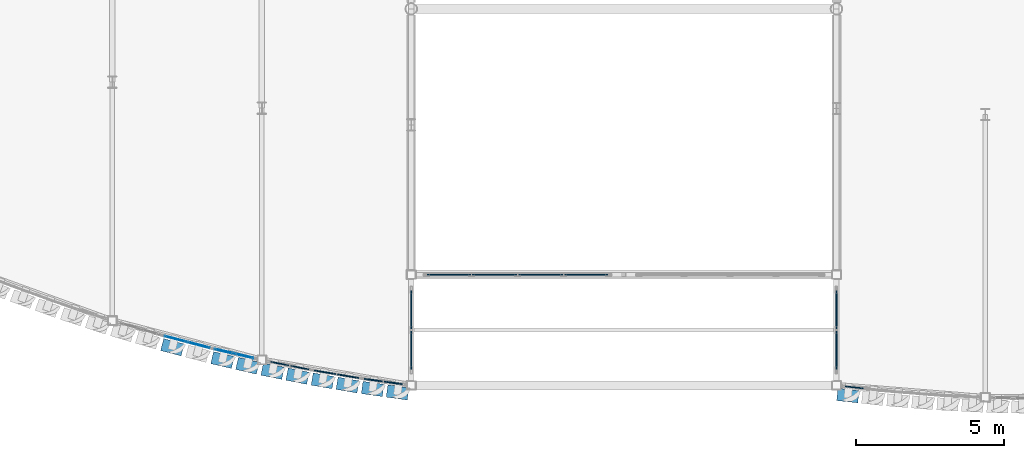
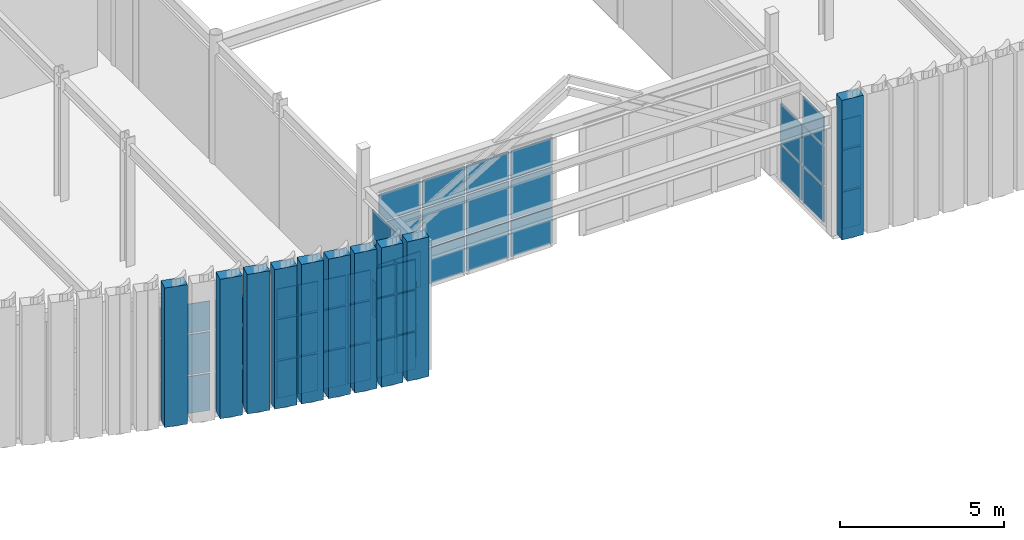
# One storey, part 88 of 126: 66 plates, 9 elements without a shape of their own.
"""IFC4 building model written with IfcOpenShell, lengths in metres."""

from ifc_helpers import new_model, si_unit, direction, frame, origin, origin_2d, place, context, subcontext, project, spatial, rectangle, extrude, material, layer, layer_set, type_object, element, aggregate, save


model = new_model("IFC4")

# Units and contexts
model_context = context("Model", 3, precision=1e-05, world=origin(), true_north=direction((0.0, 1.0)))
body_context = subcontext(model_context, "Body", "Model", "MODEL_VIEW")
ifc_project = project(units=[si_unit("LENGTHUNIT", "METRE"), si_unit("AREAUNIT", "SQUARE_METRE"), si_unit("VOLUMEUNIT", "CUBIC_METRE"), si_unit("PLANEANGLEUNIT", "RADIAN"), si_unit("MASSUNIT", "GRAM", prefix="KILO")], contexts=[model_context])

# Site, building, storey
site_placement = place(None, origin())
site = spatial("IfcSite", under=ifc_project, at=site_placement, CompositionType="ELEMENT")
building_placement = place(site_placement, origin())
building = spatial("IfcBuilding", under=site, at=building_placement, Name="Solvadek Multi-Sports Hall", CompositionType="ELEMENT")
storey_placement = place(building_placement, frame((0.0, 0.0, 9.60009765625)))
storey = spatial("IfcBuildingStorey", under=building, at=storey_placement, Name="L02", CompositionType="ELEMENT", Elevation=9.60009765625)

# Curtain wall, plates
ifc_material_1 = material(Name="Anodised aluminium", Category="aluminium")
ifc_layer_1 = layer(ifc_material_1, 0.159912109375, Name="Anodised aluminium")
ifc_layer_set_1 = layer_set([ifc_layer_1], Name="Anodised aluminium")
curtain_wall_type_1 = type_object("IfcCurtainWallType", Name="ENV-CW-168X420", PredefinedType="USERDEFINED", material=ifc_layer_set_1)
curtain_wall_1_placement = place(storey_placement, origin())
curtain_wall_1 = element("IfcCurtainWall", 1, at=curtain_wall_1_placement, inside=storey, type_object=curtain_wall_type_1, Name="L02 Crescent Curved Curtain Wall #46", ObjectType="CURTAIN WALL", PredefinedType="USERDEFINED")
ifc_material_2 = material(Name="Tempered laminated low-E glass", Category="glass")
ifc_layer_2 = layer(ifc_material_2, 0.028076171875, Name="Tempered laminated low-E glass")
ifc_layer_set_2 = layer_set([ifc_layer_2], Name="Tempered laminated low-E glass")
plate_type_1 = type_object("IfcPlateType", Name="ENV-CWP-02", PredefinedType="CURTAIN_PANEL", material=ifc_layer_set_2)
plate_1_placement = place(storey_placement, frame((64.016357421875, -11.17919921875, 0.06005859375), z_axis=(0.0, 0.0, 1.0), x_axis=(0.967166772778, -0.254142545895, 0.0)))
plate_1 = element("IfcPlate", 2, at=plate_1_placement, type_object=plate_type_1, Name="CW-22 panel 1.1", PredefinedType="CURTAIN_PANEL", context=body_context, shape_type="SweptSolid", body=[
    extrude(rectangle(XDim=0.751953125, YDim=0.028076171875, at=origin_2d()), origin(), (0.0, 0.0, 1.0), 1.3798828125),
])
plate_2_placement = place(storey_placement, frame((64.016357421875, -11.17919921875, 1.5), z_axis=(0.0, 0.0, 1.0), x_axis=(0.967166772778, -0.254142545895, 0.0)))
plate_2 = element("IfcPlate", 3, at=plate_2_placement, type_object=plate_type_1, Name="CW-22 panel 1.2", PredefinedType="CURTAIN_PANEL", context=body_context, shape_type="SweptSolid", body=[
    extrude(rectangle(XDim=0.751953125, YDim=0.028076171875, at=origin_2d()), origin(), (0.0, 0.0, 1.0), 1.493896484375),
])
plate_3_placement = place(storey_placement, frame((64.016357421875, -11.17919921875, 3.053955078125), z_axis=(0.0, 0.0, 1.0), x_axis=(0.967166772778, -0.254142545895, 0.0)))
plate_3 = element("IfcPlate", 4, at=plate_3_placement, type_object=plate_type_1, Name="CW-22 panel 1.3", PredefinedType="CURTAIN_PANEL", context=body_context, shape_type="SweptSolid", body=[
    extrude(rectangle(XDim=0.751953125, YDim=0.028076171875, at=origin_2d()), origin(), (0.0, 0.0, 1.0), 1.0859375),
])
plate_4_placement = place(storey_placement, frame((64.8017578125, -11.385498046875, 0.06005859375), z_axis=(0.0, 0.0, 1.0), x_axis=(0.967166772778, -0.254142545895, 0.0)))
plate_4 = element("IfcPlate", 5, at=plate_4_placement, type_object=plate_type_1, Name="CW-22 panel 2.1", PredefinedType="CURTAIN_PANEL", context=body_context, shape_type="SweptSolid", body=[
    extrude(rectangle(XDim=0.751953125, YDim=0.028076171875, at=origin_2d()), origin(), (0.0, 0.0, 1.0), 1.3798828125),
])
plate_5_placement = place(storey_placement, frame((64.8017578125, -11.385498046875, 1.5), z_axis=(0.0, 0.0, 1.0), x_axis=(0.967166772778, -0.254142545895, 0.0)))
plate_5 = element("IfcPlate", 6, at=plate_5_placement, type_object=plate_type_1, Name="CW-22 panel 2.2", PredefinedType="CURTAIN_PANEL", context=body_context, shape_type="SweptSolid", body=[
    extrude(rectangle(XDim=0.751953125, YDim=0.028076171875, at=origin_2d()), origin(), (0.0, 0.0, 1.0), 1.493896484375),
])
plate_6_placement = place(storey_placement, frame((64.8017578125, -11.385498046875, 3.053955078125), z_axis=(0.0, 0.0, 1.0), x_axis=(0.967166772778, -0.254142545895, 0.0)))
plate_6 = element("IfcPlate", 7, at=plate_6_placement, type_object=plate_type_1, Name="CW-22 panel 2.3", PredefinedType="CURTAIN_PANEL", context=body_context, shape_type="SweptSolid", body=[
    extrude(rectangle(XDim=0.751953125, YDim=0.028076171875, at=origin_2d()), origin(), (0.0, 0.0, 1.0), 1.0859375),
])
aggregate(curtain_wall_1, [plate_1, plate_2, plate_3, plate_4, plate_5, plate_6])

ifc_layer_3 = layer(ifc_material_1, 0.159912109375, Name="Anodised aluminium")
ifc_layer_set_3 = layer_set([ifc_layer_3], Name="Anodised aluminium")
curtain_wall_type_2 = type_object("IfcCurtainWallType", Name="ENV-CW-146X420", PredefinedType="USERDEFINED", material=ifc_layer_set_3)
curtain_wall_2_placement = place(storey_placement, origin())
curtain_wall_2 = element("IfcCurtainWall", 8, at=curtain_wall_2_placement, inside=storey, type_object=curtain_wall_type_2, Name="L02 Crescent Curved Curtain Wall #48", ObjectType="CURTAIN WALL", PredefinedType="USERDEFINED")
ifc_layer_4 = layer(ifc_material_2, 0.031982421875, Name="Tempered laminated low-E glass")
ifc_layer_set_4 = layer_set([ifc_layer_4], Name="Tempered laminated low-E glass")
plate_type_2 = type_object("IfcPlateType", Name="ENV-CWP-03", PredefinedType="CURTAIN_PANEL", material=ifc_layer_set_4)
plate_7_placement = place(storey_placement, frame((65.65234375, -11.596435546875, 0.06494140625), z_axis=(0.0, 0.0, 1.0), x_axis=(0.974315025775, -0.225189321569, 0.0)))
plate_7 = element("IfcPlate", 9, at=plate_7_placement, type_object=plate_type_2, Name="CW-23 panel 1.1", PredefinedType="CURTAIN_PANEL", context=body_context, shape_type="SweptSolid", body=[
    extrude(rectangle(XDim=0.640625, YDim=0.031982421875, at=origin_2d()), origin(), (0.0, 0.0, 1.0), 1.37255859375),
])
plate_8_placement = place(storey_placement, frame((65.65234375, -11.596435546875, 1.50244140625), z_axis=(0.0, 0.0, 1.0), x_axis=(0.974315025775, -0.225189321569, 0.0)))
plate_8 = element("IfcPlate", 10, at=plate_8_placement, type_object=plate_type_2, Name="CW-23 panel 1.2", PredefinedType="CURTAIN_PANEL", context=body_context, shape_type="SweptSolid", body=[
    extrude(rectangle(XDim=0.640625, YDim=0.031982421875, at=origin_2d()), origin(), (0.0, 0.0, 1.0), 1.489013671875),
])
plate_9_placement = place(storey_placement, frame((65.65234375, -11.596435546875, 3.056396484375), z_axis=(0.0, 0.0, 1.0), x_axis=(0.974315025775, -0.225189321569, 0.0)))
plate_9 = element("IfcPlate", 11, at=plate_9_placement, type_object=plate_type_2, Name="CW-23 panel 1.3", PredefinedType="CURTAIN_PANEL", context=body_context, shape_type="SweptSolid", body=[
    extrude(rectangle(XDim=0.640625, YDim=0.031982421875, at=origin_2d()), origin(), (0.0, 0.0, 1.0), 1.07861328125),
])
plate_10_placement = place(storey_placement, frame((66.3349609375, -11.754150390625, 0.06494140625), z_axis=(0.0, 0.0, 1.0), x_axis=(0.974315025775, -0.225189321569, 0.0)))
plate_10 = element("IfcPlate", 12, at=plate_10_placement, type_object=plate_type_2, Name="CW-23 panel 2.1", PredefinedType="CURTAIN_PANEL", context=body_context, shape_type="SweptSolid", body=[
    extrude(rectangle(XDim=0.640625, YDim=0.031982421875, at=origin_2d()), origin(), (0.0, 0.0, 1.0), 1.37255859375),
])
plate_11_placement = place(storey_placement, frame((66.3349609375, -11.754150390625, 1.50244140625), z_axis=(0.0, 0.0, 1.0), x_axis=(0.974315025775, -0.225189321569, 0.0)))
plate_11 = element("IfcPlate", 13, at=plate_11_placement, type_object=plate_type_2, Name="CW-23 panel 2.2", PredefinedType="CURTAIN_PANEL", context=body_context, shape_type="SweptSolid", body=[
    extrude(rectangle(XDim=0.640625, YDim=0.031982421875, at=origin_2d()), origin(), (0.0, 0.0, 1.0), 1.489013671875),
])
plate_12_placement = place(storey_placement, frame((66.3349609375, -11.754150390625, 3.056396484375), z_axis=(0.0, 0.0, 1.0), x_axis=(0.974315025775, -0.225189321569, 0.0)))
plate_12 = element("IfcPlate", 14, at=plate_12_placement, type_object=plate_type_2, Name="CW-23 panel 2.3", PredefinedType="CURTAIN_PANEL", context=body_context, shape_type="SweptSolid", body=[
    extrude(rectangle(XDim=0.640625, YDim=0.031982421875, at=origin_2d()), origin(), (0.0, 0.0, 1.0), 1.07861328125),
])
aggregate(curtain_wall_2, [plate_7, plate_8, plate_9, plate_10, plate_11, plate_12])

ifc_layer_5 = layer(ifc_material_1, 0.159912109375, Name="Anodised aluminium")
ifc_layer_set_5 = layer_set([ifc_layer_5], Name="Anodised aluminium")
curtain_wall_type_3 = type_object("IfcCurtainWallType", Name="ENV-CW-145X420", PredefinedType="USERDEFINED", material=ifc_layer_set_5)
curtain_wall_3_placement = place(storey_placement, origin())
curtain_wall_3 = element("IfcCurtainWall", 15, at=curtain_wall_3_placement, inside=storey, type_object=curtain_wall_type_3, Name="L02 Crescent Curved Curtain Wall #50", ObjectType="CURTAIN WALL", PredefinedType="USERDEFINED")
ifc_layer_6 = layer(ifc_material_2, 0.035888671875, Name="Tempered laminated low-E glass")
ifc_layer_set_6 = layer_set([ifc_layer_6], Name="Tempered laminated low-E glass")
plate_type_3 = type_object("IfcPlateType", Name="ENV-CWP-04", PredefinedType="CURTAIN_PANEL", material=ifc_layer_set_6)
plate_13_placement = place(storey_placement, frame((67.546142578125, -12.015380859375, 0.06494140625), z_axis=(0.0, 0.0, 1.0), x_axis=(0.980572719393, -0.196155912432, 0.0)))
plate_13 = element("IfcPlate", 16, at=plate_13_placement, type_object=plate_type_3, Name="CW-24 panel 1.1", PredefinedType="CURTAIN_PANEL", context=body_context, shape_type="SweptSolid", body=[
    extrude(rectangle(XDim=0.627685546875, YDim=0.035888671875, at=origin_2d()), origin(), (0.0, 0.0, 1.0), 1.37255859375),
])
plate_14_placement = place(storey_placement, frame((67.546142578125, -12.015380859375, 1.50244140625), z_axis=(0.0, 0.0, 1.0), x_axis=(0.980572719393, -0.196155912432, 0.0)))
plate_14 = element("IfcPlate", 17, at=plate_14_placement, type_object=plate_type_3, Name="CW-24 panel 1.2", PredefinedType="CURTAIN_PANEL", context=body_context, shape_type="SweptSolid", body=[
    extrude(rectangle(XDim=0.627685546875, YDim=0.035888671875, at=origin_2d()), origin(), (0.0, 0.0, 1.0), 1.489013671875),
])
plate_15_placement = place(storey_placement, frame((67.546142578125, -12.015380859375, 3.056396484375), z_axis=(0.0, 0.0, 1.0), x_axis=(0.980572719393, -0.196155912432, 0.0)))
plate_15 = element("IfcPlate", 18, at=plate_15_placement, type_object=plate_type_3, Name="CW-24 panel 1.3", PredefinedType="CURTAIN_PANEL", context=body_context, shape_type="SweptSolid", body=[
    extrude(rectangle(XDim=0.627685546875, YDim=0.035888671875, at=origin_2d()), origin(), (0.0, 0.0, 1.0), 1.07861328125),
])
plate_16_placement = place(storey_placement, frame((68.225341796875, -12.151123046875, 0.06494140625), z_axis=(0.0, 0.0, 1.0), x_axis=(0.980572719393, -0.196155912432, 0.0)))
plate_16 = element("IfcPlate", 19, at=plate_16_placement, type_object=plate_type_3, Name="CW-24 panel 2.1", PredefinedType="CURTAIN_PANEL", context=body_context, shape_type="SweptSolid", body=[
    extrude(rectangle(XDim=0.627685546875, YDim=0.035888671875, at=origin_2d()), origin(), (0.0, 0.0, 1.0), 1.37255859375),
])
plate_17_placement = place(storey_placement, frame((68.225341796875, -12.151123046875, 1.50244140625), z_axis=(0.0, 0.0, 1.0), x_axis=(0.980572719393, -0.196155912432, 0.0)))
plate_17 = element("IfcPlate", 20, at=plate_17_placement, type_object=plate_type_3, Name="CW-24 panel 2.2", PredefinedType="CURTAIN_PANEL", context=body_context, shape_type="SweptSolid", body=[
    extrude(rectangle(XDim=0.627685546875, YDim=0.035888671875, at=origin_2d()), origin(), (0.0, 0.0, 1.0), 1.489013671875),
])
plate_18_placement = place(storey_placement, frame((68.225341796875, -12.151123046875, 3.056396484375), z_axis=(0.0, 0.0, 1.0), x_axis=(0.980572719393, -0.196155912432, 0.0)))
plate_18 = element("IfcPlate", 21, at=plate_18_placement, type_object=plate_type_3, Name="CW-24 panel 2.3", PredefinedType="CURTAIN_PANEL", context=body_context, shape_type="SweptSolid", body=[
    extrude(rectangle(XDim=0.627685546875, YDim=0.035888671875, at=origin_2d()), origin(), (0.0, 0.0, 1.0), 1.07861328125),
])
aggregate(curtain_wall_3, [plate_13, plate_14, plate_15, plate_16, plate_17, plate_18])

ifc_layer_7 = layer(ifc_material_1, 0.159912109375, Name="Anodised aluminium")
ifc_layer_set_7 = layer_set([ifc_layer_7], Name="Anodised aluminium")
curtain_wall_type_4 = type_object("IfcCurtainWallType", Name="ENV-CW-142X420", PredefinedType="USERDEFINED", material=ifc_layer_set_7)
curtain_wall_4_placement = place(storey_placement, origin())
curtain_wall_4 = element("IfcCurtainWall", 22, at=curtain_wall_4_placement, inside=storey, type_object=curtain_wall_type_4, Name="L02 Crescent Curved Curtain Wall #56", ObjectType="CURTAIN WALL", PredefinedType="USERDEFINED")
plate_19_placement = place(storey_placement, frame((87.007568359375, -12.819580078125, 0.06494140625), z_axis=(0.0, 0.0, 1.0), x_axis=(0.994010171032, -0.109287601694, 0.0)))
plate_19 = element("IfcPlate", 23, at=plate_19_placement, type_object=plate_type_3, Name="CW-27 panel 1.1", PredefinedType="CURTAIN_PANEL", context=body_context, shape_type="SweptSolid", body=[
    extrude(rectangle(XDim=0.612548828125, YDim=0.035888671875, at=origin_2d()), origin(), (0.0, 0.0, 1.0), 1.37255859375),
])
plate_20_placement = place(storey_placement, frame((87.007568359375, -12.819580078125, 1.50244140625), z_axis=(0.0, 0.0, 1.0), x_axis=(0.994010171032, -0.109287601694, 0.0)))
plate_20 = element("IfcPlate", 24, at=plate_20_placement, type_object=plate_type_3, Name="CW-27 panel 1.2", PredefinedType="CURTAIN_PANEL", context=body_context, shape_type="SweptSolid", body=[
    extrude(rectangle(XDim=0.612548828125, YDim=0.035888671875, at=origin_2d()), origin(), (0.0, 0.0, 1.0), 1.489013671875),
])
plate_21_placement = place(storey_placement, frame((87.007568359375, -12.819580078125, 3.056396484375), z_axis=(0.0, 0.0, 1.0), x_axis=(0.994010171032, -0.109287601694, 0.0)))
plate_21 = element("IfcPlate", 25, at=plate_21_placement, type_object=plate_type_3, Name="CW-27 panel 1.3", PredefinedType="CURTAIN_PANEL", context=body_context, shape_type="SweptSolid", body=[
    extrude(rectangle(XDim=0.612548828125, YDim=0.035888671875, at=origin_2d()), origin(), (0.0, 0.0, 1.0), 1.07861328125),
])
aggregate(curtain_wall_4, [plate_19, plate_20, plate_21])

ifc_layer_8 = layer(ifc_material_1, 0.159912109375, Name="Anodised aluminium")
ifc_layer_set_8 = layer_set([ifc_layer_8], Name="Anodised aluminium")
curtain_wall_type_5 = type_object("IfcCurtainWallType", Name="ENV-CW-624X408", PredefinedType="USERDEFINED", material=ifc_layer_set_8)
curtain_wall_5_placement = place(storey_placement, origin())
curtain_wall_5 = element("IfcCurtainWall", 26, at=curtain_wall_5_placement, inside=storey, type_object=curtain_wall_type_5, Name="L02 Perimeter Bay Curtain Wall #117", ObjectType="CURTAIN WALL", PredefinedType="USERDEFINED")
plate_22_placement = place(storey_placement, frame((73.2763671875, -9.0, 0.06494140625), z_axis=(0.0, 0.0, 1.0), x_axis=(1.0, 0.0, 0.0)))
plate_22 = element("IfcPlate", 27, at=plate_22_placement, type_object=plate_type_3, Name="CW-40 panel 1.1", PredefinedType="CURTAIN_PANEL", context=body_context, shape_type="SweptSolid", body=[
    extrude(rectangle(XDim=1.46240234375, YDim=0.035888671875, at=origin_2d()), origin(), (0.0, 0.0, 1.0), 1.32861328125),
])
plate_23_placement = place(storey_placement, frame((73.2763671875, -9.0, 1.45849609375), z_axis=(0.0, 0.0, 1.0), x_axis=(1.0, 0.0, 0.0)))
plate_23 = element("IfcPlate", 28, at=plate_23_placement, type_object=plate_type_3, Name="CW-40 panel 1.2", PredefinedType="CURTAIN_PANEL", context=body_context, shape_type="SweptSolid", body=[
    extrude(rectangle(XDim=1.46240234375, YDim=0.035888671875, at=origin_2d()), origin(), (0.0, 0.0, 1.0), 1.443115234375),
])
plate_24_placement = place(storey_placement, frame((73.2763671875, -9.0, 2.96630859375), z_axis=(0.0, 0.0, 1.0), x_axis=(1.0, 0.0, 0.0)))
plate_24 = element("IfcPlate", 29, at=plate_24_placement, type_object=plate_type_3, Name="CW-40 panel 1.3", PredefinedType="CURTAIN_PANEL", context=body_context, shape_type="SweptSolid", body=[
    extrude(rectangle(XDim=1.46240234375, YDim=0.035888671875, at=origin_2d()), origin(), (0.0, 0.0, 1.0), 1.04345703125),
])
plate_25_placement = place(storey_placement, frame((74.820068359375, -9.0, 0.06494140625), z_axis=(0.0, 0.0, 1.0), x_axis=(1.0, 0.0, 0.0)))
plate_25 = element("IfcPlate", 30, at=plate_25_placement, type_object=plate_type_3, Name="CW-40 panel 2.1", PredefinedType="CURTAIN_PANEL", context=body_context, shape_type="SweptSolid", body=[
    extrude(rectangle(XDim=1.4951171875, YDim=0.035888671875, at=origin_2d()), origin(), (0.0, 0.0, 1.0), 1.32861328125),
])
plate_26_placement = place(storey_placement, frame((74.820068359375, -9.0, 1.45849609375), z_axis=(0.0, 0.0, 1.0), x_axis=(1.0, 0.0, 0.0)))
plate_26 = element("IfcPlate", 31, at=plate_26_placement, type_object=plate_type_3, Name="CW-40 panel 2.2", PredefinedType="CURTAIN_PANEL", context=body_context, shape_type="SweptSolid", body=[
    extrude(rectangle(XDim=1.4951171875, YDim=0.035888671875, at=origin_2d()), origin(), (0.0, 0.0, 1.0), 1.443115234375),
])
plate_27_placement = place(storey_placement, frame((74.820068359375, -9.0, 2.96630859375), z_axis=(0.0, 0.0, 1.0), x_axis=(1.0, 0.0, 0.0)))
plate_27 = element("IfcPlate", 32, at=plate_27_placement, type_object=plate_type_3, Name="CW-40 panel 2.3", PredefinedType="CURTAIN_PANEL", context=body_context, shape_type="SweptSolid", body=[
    extrude(rectangle(XDim=1.4951171875, YDim=0.035888671875, at=origin_2d()), origin(), (0.0, 0.0, 1.0), 1.04345703125),
])
plate_28_placement = place(storey_placement, frame((76.3798828125, -9.0, 0.06494140625), z_axis=(0.0, 0.0, 1.0), x_axis=(1.0, 0.0, 0.0)))
plate_28 = element("IfcPlate", 33, at=plate_28_placement, type_object=plate_type_3, Name="CW-40 panel 3.1", PredefinedType="CURTAIN_PANEL", context=body_context, shape_type="SweptSolid", body=[
    extrude(rectangle(XDim=1.4951171875, YDim=0.035888671875, at=origin_2d()), origin(), (0.0, 0.0, 1.0), 1.32861328125),
])
plate_29_placement = place(storey_placement, frame((76.3798828125, -9.0, 1.45849609375), z_axis=(0.0, 0.0, 1.0), x_axis=(1.0, 0.0, 0.0)))
plate_29 = element("IfcPlate", 34, at=plate_29_placement, type_object=plate_type_3, Name="CW-40 panel 3.2", PredefinedType="CURTAIN_PANEL", context=body_context, shape_type="SweptSolid", body=[
    extrude(rectangle(XDim=1.4951171875, YDim=0.035888671875, at=origin_2d()), origin(), (0.0, 0.0, 1.0), 1.443115234375),
])
plate_30_placement = place(storey_placement, frame((76.3798828125, -9.0, 2.96630859375), z_axis=(0.0, 0.0, 1.0), x_axis=(1.0, 0.0, 0.0)))
plate_30 = element("IfcPlate", 35, at=plate_30_placement, type_object=plate_type_3, Name="CW-40 panel 3.3", PredefinedType="CURTAIN_PANEL", context=body_context, shape_type="SweptSolid", body=[
    extrude(rectangle(XDim=1.4951171875, YDim=0.035888671875, at=origin_2d()), origin(), (0.0, 0.0, 1.0), 1.04345703125),
])
plate_31_placement = place(storey_placement, frame((77.923828125, -9.0, 0.06494140625), z_axis=(0.0, 0.0, 1.0), x_axis=(1.0, 0.0, 0.0)))
plate_31 = element("IfcPlate", 36, at=plate_31_placement, type_object=plate_type_3, Name="CW-40 panel 4.1", PredefinedType="CURTAIN_PANEL", context=body_context, shape_type="SweptSolid", body=[
    extrude(rectangle(XDim=1.46240234375, YDim=0.035888671875, at=origin_2d()), origin(), (0.0, 0.0, 1.0), 1.32861328125),
])
plate_32_placement = place(storey_placement, frame((77.923828125, -9.0, 1.45849609375), z_axis=(0.0, 0.0, 1.0), x_axis=(1.0, 0.0, 0.0)))
plate_32 = element("IfcPlate", 37, at=plate_32_placement, type_object=plate_type_3, Name="CW-40 panel 4.2", PredefinedType="CURTAIN_PANEL", context=body_context, shape_type="SweptSolid", body=[
    extrude(rectangle(XDim=1.46240234375, YDim=0.035888671875, at=origin_2d()), origin(), (0.0, 0.0, 1.0), 1.443115234375),
])
plate_33_placement = place(storey_placement, frame((77.923828125, -9.0, 2.96630859375), z_axis=(0.0, 0.0, 1.0), x_axis=(1.0, 0.0, 0.0)))
plate_33 = element("IfcPlate", 38, at=plate_33_placement, type_object=plate_type_3, Name="CW-40 panel 4.3", PredefinedType="CURTAIN_PANEL", context=body_context, shape_type="SweptSolid", body=[
    extrude(rectangle(XDim=1.46240234375, YDim=0.035888671875, at=origin_2d()), origin(), (0.0, 0.0, 1.0), 1.04345703125),
])
aggregate(curtain_wall_5, [plate_22, plate_23, plate_24, plate_25, plate_26, plate_27, plate_28, plate_29, plate_30, plate_31, plate_32, plate_33])

ifc_layer_9 = layer(ifc_material_1, 0.159912109375, Name="Anodised aluminium")
ifc_layer_set_9 = layer_set([ifc_layer_9], Name="Anodised aluminium")
curtain_wall_type_6 = type_object("IfcCurtainWallType", Name="ENV-CW-165X420", PredefinedType="USERDEFINED", material=ifc_layer_set_9)
curtain_wall_6_placement = place(storey_placement, origin())
curtain_wall_6 = element("IfcCurtainWall", 39, at=curtain_wall_6_placement, inside=storey, type_object=curtain_wall_type_6, Name="L02 Crescent Curved Curtain Wall #52", ObjectType="CURTAIN WALL", PredefinedType="USERDEFINED")
ifc_layer_10 = layer(ifc_material_2, 0.0419921875, Name="Tempered laminated low-E glass")
ifc_layer_set_10 = layer_set([ifc_layer_10], Name="Tempered laminated low-E glass")
plate_type_4 = type_object("IfcPlateType", Name="ENV-CWP-05", PredefinedType="CURTAIN_PANEL", material=ifc_layer_set_10)
plate_34_placement = place(storey_placement, frame((69.078857421875, -12.30810546875, 0.06005859375), z_axis=(0.0, 0.0, 1.0), x_axis=(0.985915035187, -0.167246953314, 0.0)))
plate_34 = element("IfcPlate", 40, at=plate_34_placement, type_object=plate_type_4, Name="CW-25 panel 1.1", PredefinedType="CURTAIN_PANEL", context=body_context, shape_type="SweptSolid", body=[
    extrude(rectangle(XDim=0.72802734375, YDim=0.0419921875, at=origin_2d()), origin(), (0.0, 0.0, 1.0), 1.3798828125),
])
plate_35_placement = place(storey_placement, frame((69.078857421875, -12.30810546875, 1.5), z_axis=(0.0, 0.0, 1.0), x_axis=(0.985915035187, -0.167246953314, 0.0)))
plate_35 = element("IfcPlate", 41, at=plate_35_placement, type_object=plate_type_4, Name="CW-25 panel 1.2", PredefinedType="CURTAIN_PANEL", context=body_context, shape_type="SweptSolid", body=[
    extrude(rectangle(XDim=0.72802734375, YDim=0.0419921875, at=origin_2d()), origin(), (0.0, 0.0, 1.0), 1.493896484375),
])
plate_36_placement = place(storey_placement, frame((69.078857421875, -12.30810546875, 3.053955078125), z_axis=(0.0, 0.0, 1.0), x_axis=(0.985915035187, -0.167246953314, 0.0)))
plate_36 = element("IfcPlate", 42, at=plate_36_placement, type_object=plate_type_4, Name="CW-25 panel 1.3", PredefinedType="CURTAIN_PANEL", context=body_context, shape_type="SweptSolid", body=[
    extrude(rectangle(XDim=0.72802734375, YDim=0.0419921875, at=origin_2d()), origin(), (0.0, 0.0, 1.0), 1.0859375),
])
plate_37_placement = place(storey_placement, frame((69.860595703125, -12.440673828125, 0.06005859375), z_axis=(0.0, 0.0, 1.0), x_axis=(0.985915035187, -0.167246953314, 0.0)))
plate_37 = element("IfcPlate", 43, at=plate_37_placement, type_object=plate_type_4, Name="CW-25 panel 2.1", PredefinedType="CURTAIN_PANEL", context=body_context, shape_type="SweptSolid", body=[
    extrude(rectangle(XDim=0.72802734375, YDim=0.0419921875, at=origin_2d()), origin(), (0.0, 0.0, 1.0), 1.3798828125),
])
plate_38_placement = place(storey_placement, frame((69.860595703125, -12.440673828125, 1.5), z_axis=(0.0, 0.0, 1.0), x_axis=(0.985915035187, -0.167246953314, 0.0)))
plate_38 = element("IfcPlate", 44, at=plate_38_placement, type_object=plate_type_4, Name="CW-25 panel 2.2", PredefinedType="CURTAIN_PANEL", context=body_context, shape_type="SweptSolid", body=[
    extrude(rectangle(XDim=0.72802734375, YDim=0.0419921875, at=origin_2d()), origin(), (0.0, 0.0, 1.0), 1.493896484375),
])
plate_39_placement = place(storey_placement, frame((69.860595703125, -12.440673828125, 3.053955078125), z_axis=(0.0, 0.0, 1.0), x_axis=(0.985915035187, -0.167246953314, 0.0)))
plate_39 = element("IfcPlate", 45, at=plate_39_placement, type_object=plate_type_4, Name="CW-25 panel 2.3", PredefinedType="CURTAIN_PANEL", context=body_context, shape_type="SweptSolid", body=[
    extrude(rectangle(XDim=0.72802734375, YDim=0.0419921875, at=origin_2d()), origin(), (0.0, 0.0, 1.0), 1.0859375),
])
aggregate(curtain_wall_6, [plate_34, plate_35, plate_36, plate_37, plate_38, plate_39])

ifc_layer_11 = layer(ifc_material_1, 0.159912109375, Name="Anodised aluminium")
ifc_layer_set_11 = layer_set([ifc_layer_11], Name="Anodised aluminium")
curtain_wall_type_7 = type_object("IfcCurtainWallType", Name="ENV-CW-279X405", PredefinedType="USERDEFINED", material=ifc_layer_set_11)
curtain_wall_7_placement = place(storey_placement, origin())
curtain_wall_7 = element("IfcCurtainWall", 46, at=curtain_wall_7_placement, inside=storey, type_object=curtain_wall_type_7, Name="L02 Perimeter Bay Curtain Wall #121", ObjectType="CURTAIN WALL", PredefinedType="USERDEFINED")
plate_40_placement = place(storey_placement, frame((72.0, -11.55712890625, 0.06005859375), z_axis=(0.0, 0.0, 1.0), x_axis=(0.0, 1.0, 0.0)))
plate_40 = element("IfcPlate", 47, at=plate_40_placement, type_object=plate_type_4, Name="CW-42 panel 1.1", PredefinedType="CURTAIN_PANEL", context=body_context, shape_type="SweptSolid", body=[
    extrude(rectangle(XDim=1.29150390625, YDim=0.0419921875, at=origin_2d()), origin(), (0.0, 0.0, 1.0), 1.327880859375),
])
plate_41_placement = place(storey_placement, frame((72.0, -11.55712890625, 1.447998046875), z_axis=(0.0, 0.0, 1.0), x_axis=(0.0, 1.0, 0.0)))
plate_41 = element("IfcPlate", 48, at=plate_41_placement, type_object=plate_type_4, Name="CW-42 panel 1.2", PredefinedType="CURTAIN_PANEL", context=body_context, shape_type="SweptSolid", body=[
    extrude(rectangle(XDim=1.29150390625, YDim=0.0419921875, at=origin_2d()), origin(), (0.0, 0.0, 1.0), 1.43798828125),
])
plate_42_placement = place(storey_placement, frame((72.0, -11.55712890625, 2.946044921875), z_axis=(0.0, 0.0, 1.0), x_axis=(0.0, 1.0, 0.0)))
plate_42 = element("IfcPlate", 49, at=plate_42_placement, type_object=plate_type_4, Name="CW-42 panel 1.3", PredefinedType="CURTAIN_PANEL", context=body_context, shape_type="SweptSolid", body=[
    extrude(rectangle(XDim=1.29150390625, YDim=0.0419921875, at=origin_2d()), origin(), (0.0, 0.0, 1.0), 1.0439453125),
])
plate_43_placement = place(storey_placement, frame((72.0, -10.19580078125, 0.06005859375), z_axis=(0.0, 0.0, 1.0), x_axis=(0.0, 1.0, 0.0)))
plate_43 = element("IfcPlate", 50, at=plate_43_placement, type_object=plate_type_4, Name="CW-42 panel 2.1", PredefinedType="CURTAIN_PANEL", context=body_context, shape_type="SweptSolid", body=[
    extrude(rectangle(XDim=1.29150390625, YDim=0.0419921875, at=origin_2d()), origin(), (0.0, 0.0, 1.0), 1.327880859375),
])
plate_44_placement = place(storey_placement, frame((72.0, -10.19580078125, 1.447998046875), z_axis=(0.0, 0.0, 1.0), x_axis=(0.0, 1.0, 0.0)))
plate_44 = element("IfcPlate", 51, at=plate_44_placement, type_object=plate_type_4, Name="CW-42 panel 2.2", PredefinedType="CURTAIN_PANEL", context=body_context, shape_type="SweptSolid", body=[
    extrude(rectangle(XDim=1.29150390625, YDim=0.0419921875, at=origin_2d()), origin(), (0.0, 0.0, 1.0), 1.43798828125),
])
plate_45_placement = place(storey_placement, frame((72.0, -10.19580078125, 2.946044921875), z_axis=(0.0, 0.0, 1.0), x_axis=(0.0, 1.0, 0.0)))
plate_45 = element("IfcPlate", 52, at=plate_45_placement, type_object=plate_type_4, Name="CW-42 panel 2.3", PredefinedType="CURTAIN_PANEL", context=body_context, shape_type="SweptSolid", body=[
    extrude(rectangle(XDim=1.29150390625, YDim=0.0419921875, at=origin_2d()), origin(), (0.0, 0.0, 1.0), 1.0439453125),
])
aggregate(curtain_wall_7, [plate_40, plate_41, plate_42, plate_43, plate_44, plate_45])

curtain_wall_8_placement = place(storey_placement, origin())
curtain_wall_8 = element("IfcCurtainWall", 53, at=curtain_wall_8_placement, inside=storey, type_object=curtain_wall_type_7, Name="L02 Perimeter Bay Curtain Wall #123", ObjectType="CURTAIN WALL", PredefinedType="USERDEFINED")
plate_46_placement = place(storey_placement, frame((86.39990234375, -11.55712890625, 0.06005859375), z_axis=(0.0, 0.0, 1.0), x_axis=(0.0, 1.0, 0.0)))
plate_46 = element("IfcPlate", 54, at=plate_46_placement, type_object=plate_type_4, Name="CW-42 panel 1.1", PredefinedType="CURTAIN_PANEL", context=body_context, shape_type="SweptSolid", body=[
    extrude(rectangle(XDim=1.29150390625, YDim=0.0419921875, at=origin_2d()), origin(), (0.0, 0.0, 1.0), 1.327880859375),
])
plate_47_placement = place(storey_placement, frame((86.39990234375, -11.55712890625, 1.447998046875), z_axis=(0.0, 0.0, 1.0), x_axis=(0.0, 1.0, 0.0)))
plate_47 = element("IfcPlate", 55, at=plate_47_placement, type_object=plate_type_4, Name="CW-42 panel 1.2", PredefinedType="CURTAIN_PANEL", context=body_context, shape_type="SweptSolid", body=[
    extrude(rectangle(XDim=1.29150390625, YDim=0.0419921875, at=origin_2d()), origin(), (0.0, 0.0, 1.0), 1.43798828125),
])
plate_48_placement = place(storey_placement, frame((86.39990234375, -11.55712890625, 2.946044921875), z_axis=(0.0, 0.0, 1.0), x_axis=(0.0, 1.0, 0.0)))
plate_48 = element("IfcPlate", 56, at=plate_48_placement, type_object=plate_type_4, Name="CW-42 panel 1.3", PredefinedType="CURTAIN_PANEL", context=body_context, shape_type="SweptSolid", body=[
    extrude(rectangle(XDim=1.29150390625, YDim=0.0419921875, at=origin_2d()), origin(), (0.0, 0.0, 1.0), 1.0439453125),
])
plate_49_placement = place(storey_placement, frame((86.39990234375, -10.19580078125, 0.06005859375), z_axis=(0.0, 0.0, 1.0), x_axis=(0.0, 1.0, 0.0)))
plate_49 = element("IfcPlate", 57, at=plate_49_placement, type_object=plate_type_4, Name="CW-42 panel 2.1", PredefinedType="CURTAIN_PANEL", context=body_context, shape_type="SweptSolid", body=[
    extrude(rectangle(XDim=1.29150390625, YDim=0.0419921875, at=origin_2d()), origin(), (0.0, 0.0, 1.0), 1.327880859375),
])
plate_50_placement = place(storey_placement, frame((86.39990234375, -10.19580078125, 1.447998046875), z_axis=(0.0, 0.0, 1.0), x_axis=(0.0, 1.0, 0.0)))
plate_50 = element("IfcPlate", 58, at=plate_50_placement, type_object=plate_type_4, Name="CW-42 panel 2.2", PredefinedType="CURTAIN_PANEL", context=body_context, shape_type="SweptSolid", body=[
    extrude(rectangle(XDim=1.29150390625, YDim=0.0419921875, at=origin_2d()), origin(), (0.0, 0.0, 1.0), 1.43798828125),
])
aggregate(curtain_wall_8, [plate_46, plate_47, plate_48, plate_49, plate_50])

ifc_layer_12 = layer(ifc_material_1, 0.159912109375, Name="Anodised aluminium")
ifc_layer_set_12 = layer_set([ifc_layer_12], Name="Anodised aluminium")
curtain_wall_type_8 = type_object("IfcCurtainWallType", Name="ENV-CW-143X420", PredefinedType="USERDEFINED", material=ifc_layer_set_12)
curtain_wall_9_placement = place(storey_placement, origin())
curtain_wall_9 = element("IfcCurtainWall", 59, at=curtain_wall_9_placement, inside=storey, type_object=curtain_wall_type_8, Name="L02 Crescent Curved Curtain Wall #54", ObjectType="CURTAIN WALL", PredefinedType="USERDEFINED")
ifc_layer_13 = layer(ifc_material_2, 0.048095703125, Name="Tempered laminated low-E glass")
ifc_layer_set_13 = layer_set([ifc_layer_13], Name="Tempered laminated low-E glass")
plate_type_5 = type_object("IfcPlateType", Name="ENV-CWP-06", PredefinedType="CURTAIN_PANEL", material=ifc_layer_set_13)
plate_51_placement = place(storey_placement, frame((70.715087890625, -12.573486328125, 0.06005859375), z_axis=(0.0, 0.0, 1.0), x_axis=(0.990402008066, -0.138216722642, 0.0)))
plate_51 = element("IfcPlate", 60, at=plate_51_placement, type_object=plate_type_5, Name="CW-26 panel 1.1", PredefinedType="CURTAIN_PANEL", context=body_context, shape_type="SweptSolid", body=[
    extrude(rectangle(XDim=0.611572265625, YDim=0.048095703125, at=origin_2d()), origin(), (0.0, 0.0, 1.0), 1.3798828125),
])
plate_52_placement = place(storey_placement, frame((70.715087890625, -12.573486328125, 1.5), z_axis=(0.0, 0.0, 1.0), x_axis=(0.990402008066, -0.138216722642, 0.0)))
plate_52 = element("IfcPlate", 61, at=plate_52_placement, type_object=plate_type_5, Name="CW-26 panel 1.2", PredefinedType="CURTAIN_PANEL", context=body_context, shape_type="SweptSolid", body=[
    extrude(rectangle(XDim=0.611572265625, YDim=0.048095703125, at=origin_2d()), origin(), (0.0, 0.0, 1.0), 1.493896484375),
])
plate_53_placement = place(storey_placement, frame((70.715087890625, -12.573486328125, 3.053955078125), z_axis=(0.0, 0.0, 1.0), x_axis=(0.990402008066, -0.138216722642, 0.0)))
plate_53 = element("IfcPlate", 62, at=plate_53_placement, type_object=plate_type_5, Name="CW-26 panel 1.3", PredefinedType="CURTAIN_PANEL", context=body_context, shape_type="SweptSolid", body=[
    extrude(rectangle(XDim=0.611572265625, YDim=0.048095703125, at=origin_2d()), origin(), (0.0, 0.0, 1.0), 1.0859375),
])
plate_54_placement = place(storey_placement, frame((71.39013671875, -12.667724609375, 0.06005859375), z_axis=(0.0, 0.0, 1.0), x_axis=(0.990402008066, -0.138216722642, 0.0)))
plate_54 = element("IfcPlate", 63, at=plate_54_placement, type_object=plate_type_5, Name="CW-26 panel 2.1", PredefinedType="CURTAIN_PANEL", context=body_context, shape_type="SweptSolid", body=[
    extrude(rectangle(XDim=0.611572265625, YDim=0.048095703125, at=origin_2d()), origin(), (0.0, 0.0, 1.0), 1.3798828125),
])
plate_55_placement = place(storey_placement, frame((71.39013671875, -12.667724609375, 1.5), z_axis=(0.0, 0.0, 1.0), x_axis=(0.990402008066, -0.138216722642, 0.0)))
plate_55 = element("IfcPlate", 64, at=plate_55_placement, type_object=plate_type_5, Name="CW-26 panel 2.2", PredefinedType="CURTAIN_PANEL", context=body_context, shape_type="SweptSolid", body=[
    extrude(rectangle(XDim=0.611572265625, YDim=0.048095703125, at=origin_2d()), origin(), (0.0, 0.0, 1.0), 1.493896484375),
])
plate_56_placement = place(storey_placement, frame((71.39013671875, -12.667724609375, 3.053955078125), z_axis=(0.0, 0.0, 1.0), x_axis=(0.990402008066, -0.138216722642, 0.0)))
plate_56 = element("IfcPlate", 65, at=plate_56_placement, type_object=plate_type_5, Name="CW-26 panel 2.3", PredefinedType="CURTAIN_PANEL", context=body_context, shape_type="SweptSolid", body=[
    extrude(rectangle(XDim=0.611572265625, YDim=0.048095703125, at=origin_2d()), origin(), (0.0, 0.0, 1.0), 1.0859375),
])
aggregate(curtain_wall_9, [plate_51, plate_52, plate_53, plate_54, plate_55, plate_56])

# Plates
ifc_material_3 = material(Name="Perforated champagne-bronze anodised aluminium", Category="aluminium")
ifc_layer_14 = layer(ifc_material_3, 0.419921875, Name="Perforated champagne-bronze anodised aluminium")
ifc_layer_set_14 = layer_set([ifc_layer_14], Name="Perforated champagne-bronze anodised aluminium")
plate_type_6 = type_object("IfcPlateType", Name="ENV-FLT-520", PredefinedType="USERDEFINED", material=ifc_layer_set_14)
for number, where, z_axis, x_axis, name in (
    (66, (63.9111328125, -11.461669921875, 0.0400390625), (0.0, 0.0, 1.0), (0.967172504077, -0.25412073382, 0.0), "L02 Half-Cylinder Colonnade Flute #91"),
    (67, (65.606689453125, -11.893798828125, 0.0400390625), (0.0, 0.0, 1.0), (0.974313261817, -0.225196953459, 0.0), "L02 Half-Cylinder Colonnade Flute #95"),
    (68, (66.4501953125, -12.088623046875, 0.0400390625), (0.0, 0.0, 1.0), (0.974313261817, -0.225196953459, 0.0), "L02 Half-Cylinder Colonnade Flute #96"),
    (69, (67.30224609375, -12.2724609375, 0.0400390625), (0.0, 0.0, 1.0), (0.980567259161, -0.196183205861, 0.0), "L02 Half-Cylinder Colonnade Flute #99"),
    (70, (68.145751953125, -12.441162109375, 0.0400390625), (0.0, 0.0, 1.0), (0.980567259161, -0.196183205861, 0.0), "L02 Half-Cylinder Colonnade Flute #100"),
    (71, (68.997802734375, -12.5986328125, 0.0400390625), (0.0, 0.0, 1.0), (0.985919127793, -0.16722282575, 0.0), "L02 Half-Cylinder Colonnade Flute #103"),
    (72, (69.84130859375, -12.74169921875, 0.0400390625), (0.0, 0.0, 1.0), (0.985919127793, -0.16722282575, 0.0), "L02 Half-Cylinder Colonnade Flute #104"),
    (73, (70.693359375, -12.87353515625, 0.0400390625), (0.0, 0.0, 1.0), (0.990403400267, -0.138206746357, 0.0), "L02 Half-Cylinder Colonnade Flute #107"),
    (74, (71.536865234375, -12.9912109375, 0.0400390625), (0.0, 0.0, 1.0), (0.990403400267, -0.138206746357, 0.0), "L02 Half-Cylinder Colonnade Flute #108"),
    (75, (86.787109375, -13.09716796875, 0.0400390625), (0.0, 0.0, 1.0), (0.99401078481, -0.109282019021, 0.0), "L02 Half-Cylinder Colonnade Flute #111"),
):
    element("IfcPlate", number, at=place(storey_placement, frame(where, z_axis=z_axis, x_axis=x_axis)), inside=storey, type_object=plate_type_6, Name=name, ObjectType="FLANGED_SHEET", PredefinedType="USERDEFINED", context=body_context, shape_type="SweptSolid", body=[
        extrude(rectangle(XDim=0.719970703125, YDim=0.419921875, at=origin_2d()), origin(), (0.0, 0.0, 1.0), 5.199951171875),
    ])

save(model, "model.ifc")
